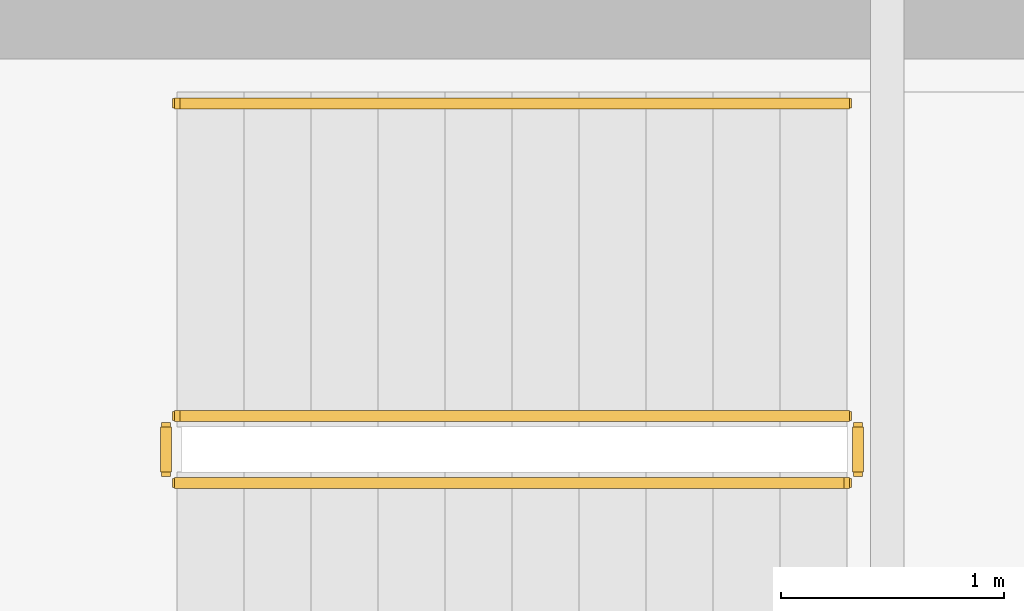
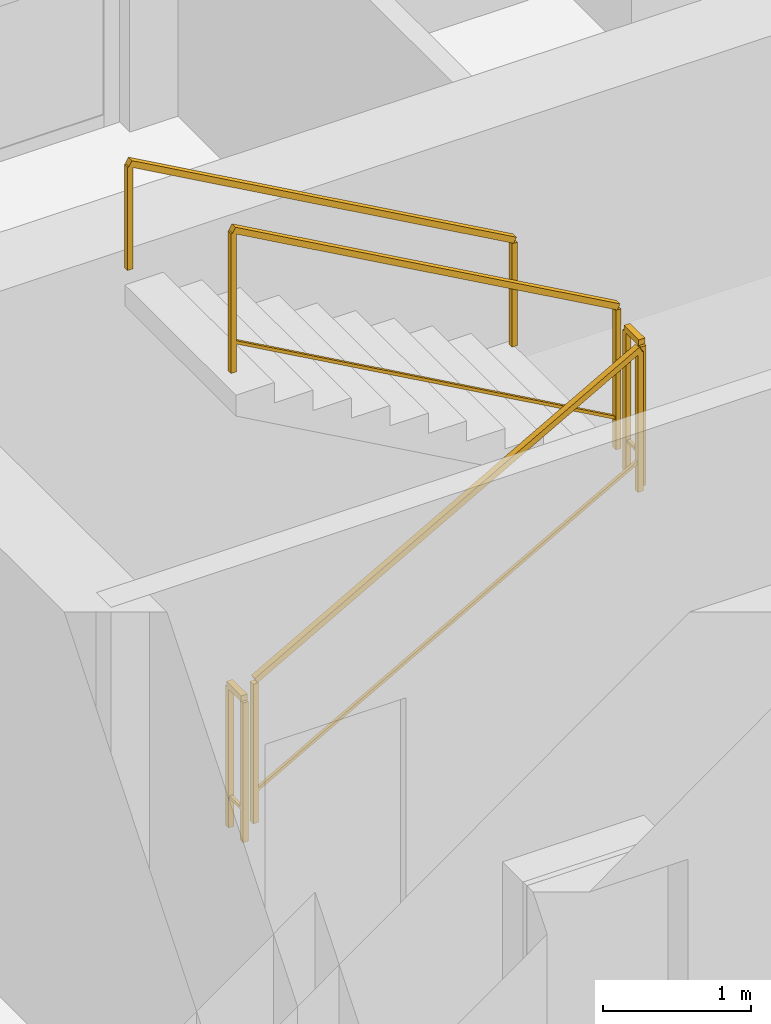
# One storey, part 13 of 13: 5 railings.
"""IFC4 building model written with IfcOpenShell, lengths in metres."""

from ifc_helpers import new_model, si_unit, direction, frame, origin, origin_2d, place, context, subcontext, project, spatial, rectangle, extrude, material, type_object, element, save


model = new_model("IFC4")

# Units and contexts
model_context = context("Model", 3, precision=1e-05, world=origin(), true_north=direction((0.0, 1.0)))
body_context = subcontext(model_context, "Body", "Model", "MODEL_VIEW")
ifc_project = project(units=[si_unit("LENGTHUNIT", "METRE"), si_unit("AREAUNIT", "SQUARE_METRE"), si_unit("VOLUMEUNIT", "CUBIC_METRE"), si_unit("PLANEANGLEUNIT", "RADIAN"), si_unit("MASSUNIT", "GRAM", prefix="KILO")], contexts=[model_context])

# Site, building, storey
site_placement = place(None, origin())
site = spatial("IfcSite", under=ifc_project, at=site_placement, CompositionType="ELEMENT")
building_placement = place(site_placement, origin())
building = spatial("IfcBuilding", under=site, at=building_placement, Name="Svetorya Sky Lyceum", CompositionType="ELEMENT")
storey_placement = place(building_placement, frame((0.0, 0.0, 58.39990234375)))
storey = spatial("IfcBuildingStorey", under=building, at=storey_placement, Name="L14", CompositionType="ELEMENT", Elevation=58.39990234375)

# Railings
ifc_material_1 = material(Name="Painted galvanized stair well guard")
railing_type_1 = type_object("IfcRailingType", Name="RL-STR-GUARD-1200", PredefinedType="GUARDRAIL", material=ifc_material_1)
railing_1_placement = place(storey_placement, frame((27.699951171875, 43.60009765625, 0.168212890625)))
element("IfcRailing", 1, at=railing_1_placement, inside=storey, type_object=railing_type_1, Name="L14 ST-N stair guard 1", PredefinedType="GUARDRAIL", context=body_context, shape_type="SweptSolid", body=[
    extrude(rectangle(XDim=0.048095703125, YDim=0.048095703125, at=origin_2d()), frame((0.0, 0.0, 1.17578125), z_axis=(0.872272294576, 0.0, 0.489020494575), x_axis=(0.0, 1.0, 0.0)), (0.0, 0.0, 1.0), 3.439208984375),
    extrude(rectangle(XDim=0.02392578125, YDim=0.02392578125, at=origin_2d()), frame((0.0, 0.0, 0.25), z_axis=(0.872272294576, 0.0, 0.489020494575), x_axis=(0.0, 1.0, 0.0)), (0.0, 0.0, 1.0), 3.439208984375),
    extrude(rectangle(XDim=0.0419921875, YDim=0.0419921875, at=origin_2d()), origin(), (0.0, 0.0, 1.0), 1.15185546875),
    extrude(rectangle(XDim=0.0419921875, YDim=0.0419921875, at=origin_2d()), frame((3.0, 0.0, 1.681884765625)), (0.0, 0.0, 1.0), 1.15185546875),
])
railing_2_placement = place(storey_placement, frame((30.75, 43.64990234375, 1.85009765625)))
element("IfcRailing", 2, at=railing_2_placement, inside=storey, type_object=railing_type_1, Name="L14 ST-N stair guard 2", PredefinedType="GUARDRAIL", context=body_context, shape_type="SweptSolid", body=[
    extrude(rectangle(XDim=0.048095703125, YDim=0.048095703125, at=origin_2d()), frame((0.0, 0.0, 1.17578125), z_axis=(0.0, 1.0, 0.0), x_axis=(-1.0, 0.0, 0.0)), (0.0, 0.0, 1.0), 0.2001953125),
    extrude(rectangle(XDim=0.02392578125, YDim=0.02392578125, at=origin_2d()), frame((0.0, 0.0, 0.25), z_axis=(0.0, 1.0, 0.0), x_axis=(-1.0, 0.0, 0.0)), (0.0, 0.0, 1.0), 0.2001953125),
    extrude(rectangle(XDim=0.0419921875, YDim=0.0419921875, at=origin_2d()), origin(), (0.0, 0.0, 1.0), 1.15185546875),
    extrude(rectangle(XDim=0.0419921875, YDim=0.0419921875, at=origin_2d()), frame((0.0, 0.2001953125, 0.0)), (0.0, 0.0, 1.0), 1.15185546875),
])
railing_3_placement = place(storey_placement, frame((30.699951171875, 43.89990234375, 2.018310546875)))
element("IfcRailing", 3, at=railing_3_placement, inside=storey, type_object=railing_type_1, Name="L14 ST-N stair guard 3", PredefinedType="GUARDRAIL", context=body_context, shape_type="SweptSolid", body=[
    extrude(rectangle(XDim=0.048095703125, YDim=0.048095703125, at=origin_2d()), frame((0.0, 0.0, 1.17578125), z_axis=(-0.872272294576, 0.0, 0.489020494575), x_axis=(0.0, -1.0, 0.0)), (0.0, 0.0, 1.0), 3.439208984375),
    extrude(rectangle(XDim=0.02392578125, YDim=0.02392578125, at=origin_2d()), frame((0.0, 0.0, 0.25), z_axis=(-0.872272294576, 0.0, 0.489020494575), x_axis=(0.0, -1.0, 0.0)), (0.0, 0.0, 1.0), 3.439208984375),
    extrude(rectangle(XDim=0.0419921875, YDim=0.0419921875, at=origin_2d()), origin(), (0.0, 0.0, 1.0), 1.15185546875),
    extrude(rectangle(XDim=0.0419921875, YDim=0.0419921875, at=origin_2d()), frame((-3.0, 0.0, 1.681884765625)), (0.0, 0.0, 1.0), 1.15185546875),
])
railing_4_placement = place(storey_placement, frame((27.64990234375, 43.64990234375, 0.0)))
element("IfcRailing", 4, at=railing_4_placement, inside=storey, type_object=railing_type_1, Name="L14 ST-N stair guard 4", PredefinedType="GUARDRAIL", context=body_context, shape_type="SweptSolid", body=[
    extrude(rectangle(XDim=0.048095703125, YDim=0.048095703125, at=origin_2d()), frame((0.0, 0.0, 1.17578125), z_axis=(0.0, 1.0, 0.0), x_axis=(-1.0, 0.0, 0.0)), (0.0, 0.0, 1.0), 0.2001953125),
    extrude(rectangle(XDim=0.02392578125, YDim=0.02392578125, at=origin_2d()), frame((0.0, 0.0, 0.25), z_axis=(0.0, 1.0, 0.0), x_axis=(-1.0, 0.0, 0.0)), (0.0, 0.0, 1.0), 0.2001953125),
    extrude(rectangle(XDim=0.0419921875, YDim=0.0419921875, at=origin_2d()), origin(), (0.0, 0.0, 1.0), 1.15185546875),
    extrude(rectangle(XDim=0.0419921875, YDim=0.0419921875, at=origin_2d()), frame((0.0, 0.2001953125, 0.0)), (0.0, 0.0, 1.0), 1.15185546875),
])
ifc_material_2 = material(Name="Brushed stainless AISI 304 stair handrail")
railing_type_2 = type_object("IfcRailingType", Name="RL-STR-HAND-920", PredefinedType="HANDRAIL", material=ifc_material_2)
railing_5_placement = place(storey_placement, frame((30.699951171875, 45.300048828125, 2.018310546875)))
element("IfcRailing", 5, at=railing_5_placement, inside=storey, type_object=railing_type_2, Name="L14 ST-N stair handrail 2", PredefinedType="HANDRAIL", context=body_context, shape_type="SweptSolid", body=[
    extrude(rectangle(XDim=0.048095703125, YDim=0.048095703125, at=origin_2d()), frame((0.0, 0.0, 0.8759765625), z_axis=(-0.872272294576, 0.0, 0.489020494575), x_axis=(0.0, -1.0, 0.0)), (0.0, 0.0, 1.0), 3.439208984375),
    extrude(rectangle(XDim=0.0419921875, YDim=0.0419921875, at=origin_2d()), origin(), (0.0, 0.0, 1.0), 0.851806640625),
    extrude(rectangle(XDim=0.0419921875, YDim=0.0419921875, at=origin_2d()), frame((-3.0, 0.0, 1.681884765625)), (0.0, 0.0, 1.0), 0.851806640625),
])

save(model, "model.ifc")
